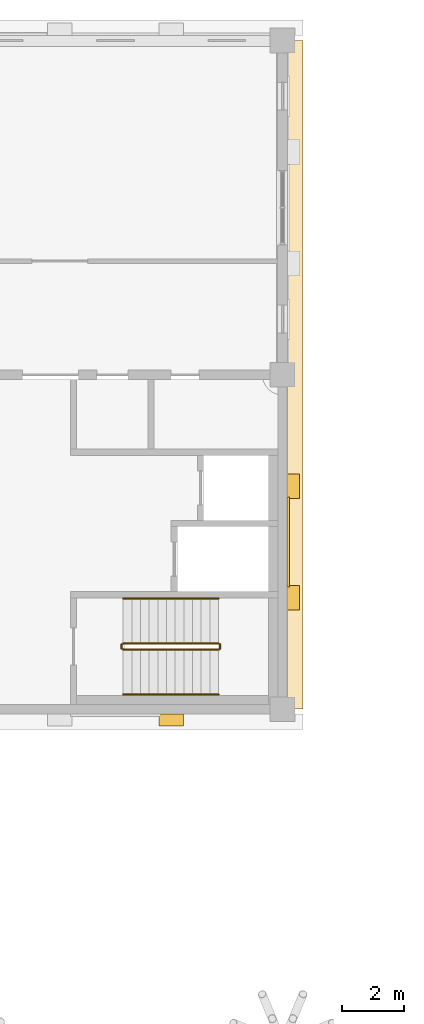
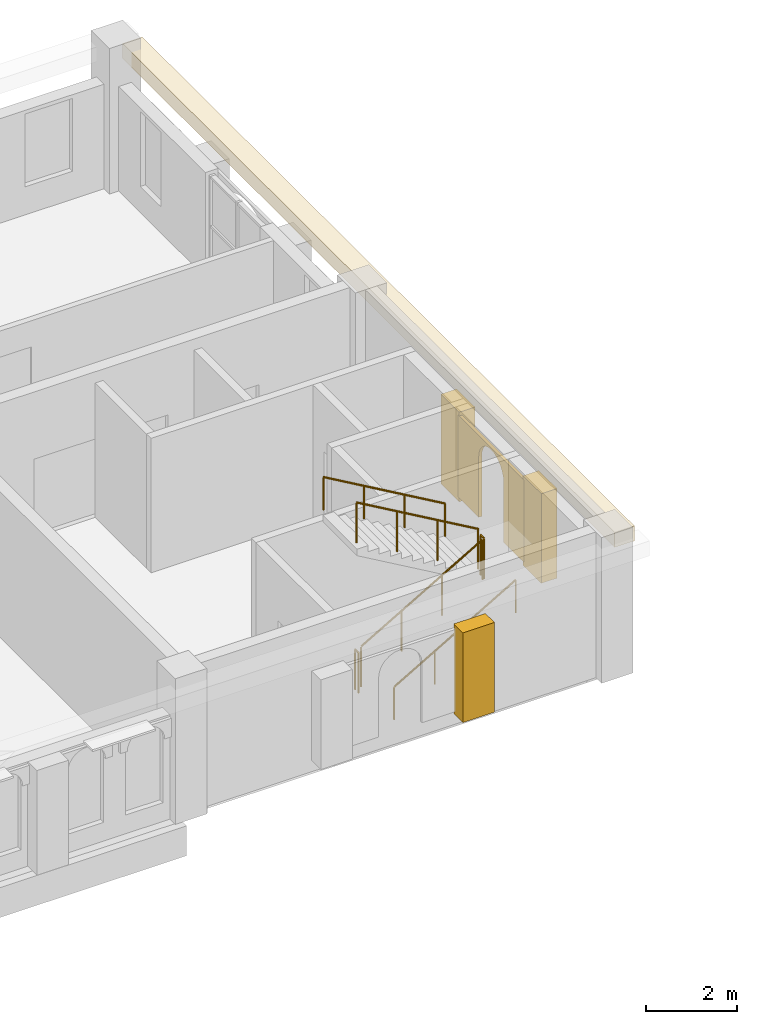
# One storey, part 41 of 42: 6 railings, 5 coverings.
"""IFC4 building model written with IfcOpenShell, lengths in metres."""

from ifc_helpers import new_model, si_unit, direction, frame, origin, origin_2d, place, context, subcontext, project, spatial, polyline, rectangle, circle, outline, extrude, material, layer, layer_set, type_object, element, save


model = new_model("IFC4")

# Units and contexts
model_context = context("Model", 3, precision=1e-05, world=origin(), true_north=direction((0.0, 1.0)))
body_context = subcontext(model_context, "Body", "Model", "MODEL_VIEW")
ifc_project = project(units=[si_unit("LENGTHUNIT", "METRE"), si_unit("AREAUNIT", "SQUARE_METRE"), si_unit("VOLUMEUNIT", "CUBIC_METRE"), si_unit("PLANEANGLEUNIT", "RADIAN"), si_unit("MASSUNIT", "GRAM", prefix="KILO")], contexts=[model_context])

# Site, building, storey
site_placement = place(None, origin())
site = spatial("IfcSite", under=ifc_project, at=site_placement, CompositionType="ELEMENT")
building_placement = place(site_placement, origin())
building = spatial("IfcBuilding", under=site, at=building_placement, Name="Magnolia Steps Interchange", CompositionType="ELEMENT")
storey_placement = place(building_placement, frame((0.0, 0.0, 12.60009765625)))
storey = spatial("IfcBuildingStorey", under=building, at=storey_placement, Name="L03", CompositionType="ELEMENT", Elevation=12.60009765625)

# Coverings
ifc_material_1 = material(Name="Lime render")
ifc_layer_1 = layer(ifc_material_1, 0.080078125)
ifc_layer_set_1 = layer_set([ifc_layer_1], Name="Lime render arch infill")
covering_type_1 = type_object("IfcCoveringType", Name="Lime render arch infill", PredefinedType="CLADDING", material=ifc_layer_set_1)
covering_1_placement = place(storey_placement, frame((118.14990234375, 100.35009765625, 0.39990234375), z_axis=(-1.0, 0.0, 0.0), x_axis=(0.0, 0.0, 1.0)))
element("IfcCovering", 1, at=covering_1_placement, inside=storey, type_object=covering_type_1, Name="Arched niche OC-E L03 E", PredefinedType="CLADDING", context=body_context, shape_type="SweptSolid", body=[
    extrude(outline(polyline([(0.0, 0.0), (2.199951172, 0.0), (2.199951172, 2.899902344), (0.0, 2.899902344), (0.0, 2.0), (1.600097656, 2.0), (1.742431641, 1.981201172), (1.875, 1.926269531), (1.989013672, 1.838867188), (2.076416016, 1.724853516), (2.131347656, 1.592285156), (2.149902344, 1.449951172), (2.131347656, 1.307617188), (2.076416016, 1.174804688), (1.989013672, 1.061035156), (1.875, 0.973632812), (1.742431641, 0.918701172), (1.600097656, 0.899902344), (0.0, 0.899902344), (0.0, 0.0)])), origin(), (0.0, 0.0, -1.0), 0.080078125),
])
ifc_material_2 = material(Name="Lime render")
ifc_layer_2 = layer(ifc_material_2, 0.1201171875)
ifc_layer_set_2 = layer_set([ifc_layer_2], Name="Lime render band")
covering_type_2 = type_object("IfcCoveringType", Name="Lime render band", PredefinedType="CLADDING", material=ifc_layer_set_2)
covering_2_placement = place(storey_placement, frame((118.41259765625, 107.199951171875, 3.199951171875), z_axis=(0.0, 0.0, 1.0), x_axis=(1.0, 0.0, 0.0)))
element("IfcCovering", 2, at=covering_2_placement, inside=storey, type_object=covering_type_2, Name="String course L03 E", PredefinedType="CLADDING", context=body_context, shape_type="SweptSolid", body=[
    extrude(rectangle(XDim=0.5, YDim=21.60009765625, at=origin_2d()), origin(), (0.0, 0.0, 1.0), 0.39990234375),
])
ifc_material_3 = material(Name="Lime render")
ifc_layer_3 = layer(ifc_material_3, 0.39990234375)
ifc_layer_set_3 = layer_set([ifc_layer_3], Name="Lime render pilaster")
covering_type_3 = type_object("IfcCoveringType", Name="Lime render pilaster", PredefinedType="CLADDING", material=ifc_layer_set_3)
covering_3_placement = place(storey_placement, frame((114.39990234375, 96.050048828125, 0.300048828125), z_axis=(0.0, 0.0, 1.0), x_axis=(1.0, 0.0, 0.0)))
element("IfcCovering", 3, at=covering_3_placement, inside=storey, type_object=covering_type_3, Name="Core pilaster OC-E L03 S 2", PredefinedType="CLADDING", context=body_context, shape_type="SweptSolid", body=[
    extrude(rectangle(XDim=0.800048828125, YDim=0.39990234375, at=origin_2d()), origin(), (0.0, 0.0, 1.0), 2.39990234375),
])
for number, where, z_axis, x_axis, name in (
    (4, (118.35009765625, 100.0, 0.300048828125), (0.0, 0.0, 1.0), (1.0, 0.0, 0.0), "Core pilaster OC-E L03 E 1"),
    (5, (118.35009765625, 103.60009765625, 0.300048828125), (0.0, 0.0, 1.0), (1.0, 0.0, 0.0), "Core pilaster OC-E L03 E 2"),
):
    element("IfcCovering", number, at=place(storey_placement, frame(where, z_axis=z_axis, x_axis=x_axis)), inside=storey, type_object=covering_type_3, Name=name, PredefinedType="CLADDING", context=body_context, shape_type="SweptSolid", body=[
        extrude(rectangle(XDim=0.39990234375, YDim=0.800048828125, at=origin_2d()), origin(), (0.0, 0.0, 1.0), 2.39990234375),
    ])

# Railings
ifc_material_4 = material(Name="Stainless steel grade 304", Category="steel")
railing_type_1 = type_object("IfcRailingType", Name="Stair guard 1100", PredefinedType="GUARDRAIL", material=ifc_material_4)
railing_1_placement = place(storey_placement, frame((112.85009765625, 98.325927734375, 0.162353515625)))
element("IfcRailing", 6, at=railing_1_placement, inside=storey, type_object=railing_type_1, Name="L03 ST29 stair guard 1", PredefinedType="GUARDRAIL", context=body_context, shape_type="SweptSolid", body=[
    extrude(circle(Radius=0.02392578125, at=origin_2d()), frame((0.0, 0.0, 1.076171875), z_axis=(0.864873446163, 0.0, 0.501989962173), x_axis=(0.0, 1.0, 0.0)), (0.0, 0.0, 1.0), 3.56103515625),
    extrude(circle(Radius=0.02099609375, at=origin_2d()), origin(), (0.0, 0.0, 1.0), 1.052001953125),
    extrude(circle(Radius=0.02099609375, at=origin_2d()), frame((1.026611328125, 0.0, 0.595947265625)), (0.0, 0.0, 1.0), 1.052001953125),
    extrude(circle(Radius=0.02099609375, at=origin_2d()), frame((2.05322265625, 0.0, 1.191650390625)), (0.0, 0.0, 1.0), 1.052001953125),
    extrude(circle(Radius=0.02099609375, at=origin_2d()), frame((3.079833984375, 0.0, 1.78759765625)), (0.0, 0.0, 1.0), 1.052001953125),
])
railing_2_placement = place(storey_placement, frame((115.97998046875, 98.35009765625, 1.949951171875)))
element("IfcRailing", 7, at=railing_2_placement, inside=storey, type_object=railing_type_1, Name="L03 ST29 stair guard 2", PredefinedType="GUARDRAIL", context=body_context, shape_type="SweptSolid", body=[
    extrude(circle(Radius=0.02392578125, at=origin_2d()), frame((0.0, 0.0, 1.076171875), z_axis=(0.0, 1.0, 0.0), x_axis=(-1.0, 0.0, 0.0)), (0.0, 0.0, 1.0), 0.14990234375),
    extrude(circle(Radius=0.02099609375, at=origin_2d()), origin(), (0.0, 0.0, 1.0), 1.052001953125),
    extrude(circle(Radius=0.02099609375, at=origin_2d()), frame((0.0, 0.14990234375, 0.0)), (0.0, 0.0, 1.0), 1.052001953125),
])
railing_3_placement = place(storey_placement, frame((115.929931640625, 98.52392578125, 2.1123046875)))
element("IfcRailing", 8, at=railing_3_placement, inside=storey, type_object=railing_type_1, Name="L03 ST29 stair guard 3", PredefinedType="GUARDRAIL", context=body_context, shape_type="SweptSolid", body=[
    extrude(circle(Radius=0.02392578125, at=origin_2d()), frame((0.0, 0.0, 1.076171875), z_axis=(-0.864873446163, 0.0, 0.501989962173), x_axis=(0.0, -1.0, 0.0)), (0.0, 0.0, 1.0), 3.56103515625),
    extrude(circle(Radius=0.02099609375, at=origin_2d()), origin(), (0.0, 0.0, 1.0), 1.052001953125),
    extrude(circle(Radius=0.02099609375, at=origin_2d()), frame((-1.026611328125, 0.0, 0.595947265625)), (0.0, 0.0, 1.0), 1.052001953125),
    extrude(circle(Radius=0.02099609375, at=origin_2d()), frame((-2.05322265625, 0.0, 1.191650390625)), (0.0, 0.0, 1.0), 1.052001953125),
    extrude(circle(Radius=0.02099609375, at=origin_2d()), frame((-3.079833984375, 0.0, 1.78759765625)), (0.0, 0.0, 1.0), 1.052001953125),
])
railing_4_placement = place(storey_placement, frame((112.800048828125, 98.35009765625, 0.0)))
element("IfcRailing", 9, at=railing_4_placement, inside=storey, type_object=railing_type_1, Name="L03 ST29 stair guard 4", PredefinedType="GUARDRAIL", context=body_context, shape_type="SweptSolid", body=[
    extrude(circle(Radius=0.02392578125, at=origin_2d()), frame((0.0, 0.0, 1.076171875), z_axis=(0.0, 1.0, 0.0), x_axis=(-1.0, 0.0, 0.0)), (0.0, 0.0, 1.0), 0.14990234375),
    extrude(circle(Radius=0.02099609375, at=origin_2d()), origin(), (0.0, 0.0, 1.0), 1.052001953125),
    extrude(circle(Radius=0.02099609375, at=origin_2d()), frame((0.0, 0.14990234375, 0.0)), (0.0, 0.0, 1.0), 1.052001953125),
])
ifc_material_5 = material(Name="Stainless steel grade 304", Category="steel")
railing_type_2 = type_object("IfcRailingType", Name="Stair handrail 900", PredefinedType="HANDRAIL", material=ifc_material_5)
railing_5_placement = place(storey_placement, frame((112.85009765625, 96.8740234375, 0.162353515625)))
element("IfcRailing", 10, at=railing_5_placement, inside=storey, type_object=railing_type_2, Name="L03 ST29 stair handrail 1", PredefinedType="HANDRAIL", context=body_context, shape_type="SweptSolid", body=[
    extrude(circle(Radius=0.02392578125, at=origin_2d()), frame((0.0, 0.0, 0.8759765625), z_axis=(0.864873446163, 0.0, 0.501989962173), x_axis=(0.0, 1.0, 0.0)), (0.0, 0.0, 1.0), 3.56103515625),
    extrude(circle(Radius=0.02099609375, at=origin_2d()), origin(), (0.0, 0.0, 1.0), 0.851806640625),
    extrude(circle(Radius=0.02099609375, at=origin_2d()), frame((1.026611328125, 0.0, 0.595947265625)), (0.0, 0.0, 1.0), 0.851806640625),
    extrude(circle(Radius=0.02099609375, at=origin_2d()), frame((2.05322265625, 0.0, 1.191650390625)), (0.0, 0.0, 1.0), 0.851806640625),
    extrude(circle(Radius=0.02099609375, at=origin_2d()), frame((3.079833984375, 0.0, 1.78759765625)), (0.0, 0.0, 1.0), 0.851806640625),
])
railing_6_placement = place(storey_placement, frame((115.929931640625, 99.97607421875, 2.1123046875)))
element("IfcRailing", 11, at=railing_6_placement, inside=storey, type_object=railing_type_2, Name="L03 ST29 stair handrail 2", PredefinedType="HANDRAIL", context=body_context, shape_type="SweptSolid", body=[
    extrude(circle(Radius=0.02392578125, at=origin_2d()), frame((0.0, 0.0, 0.8759765625), z_axis=(-0.864873446163, 0.0, 0.501989962173), x_axis=(0.0, -1.0, 0.0)), (0.0, 0.0, 1.0), 3.56103515625),
    extrude(circle(Radius=0.02099609375, at=origin_2d()), origin(), (0.0, 0.0, 1.0), 0.851806640625),
    extrude(circle(Radius=0.02099609375, at=origin_2d()), frame((-1.026611328125, 0.0, 0.595947265625)), (0.0, 0.0, 1.0), 0.851806640625),
    extrude(circle(Radius=0.02099609375, at=origin_2d()), frame((-2.05322265625, 0.0, 1.191650390625)), (0.0, 0.0, 1.0), 0.851806640625),
    extrude(circle(Radius=0.02099609375, at=origin_2d()), frame((-3.079833984375, 0.0, 1.78759765625)), (0.0, 0.0, 1.0), 0.851806640625),
])

save(model, "model.ifc")
